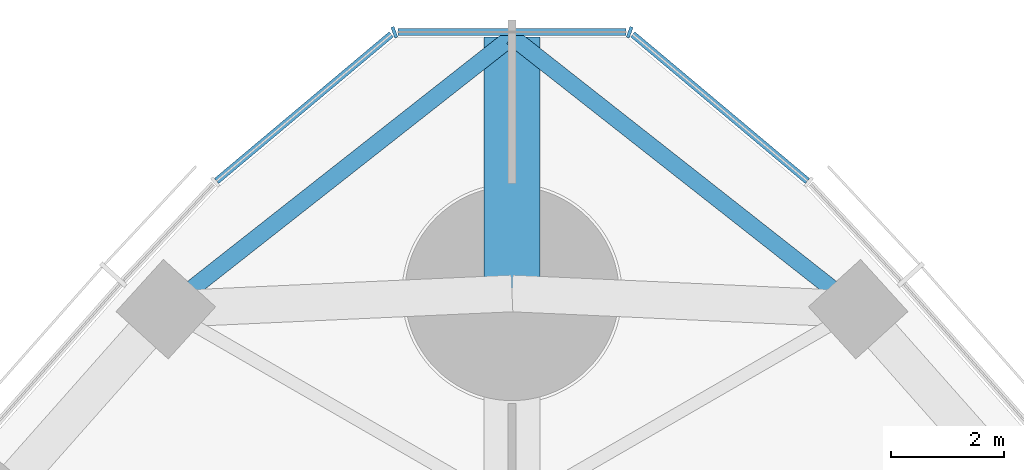
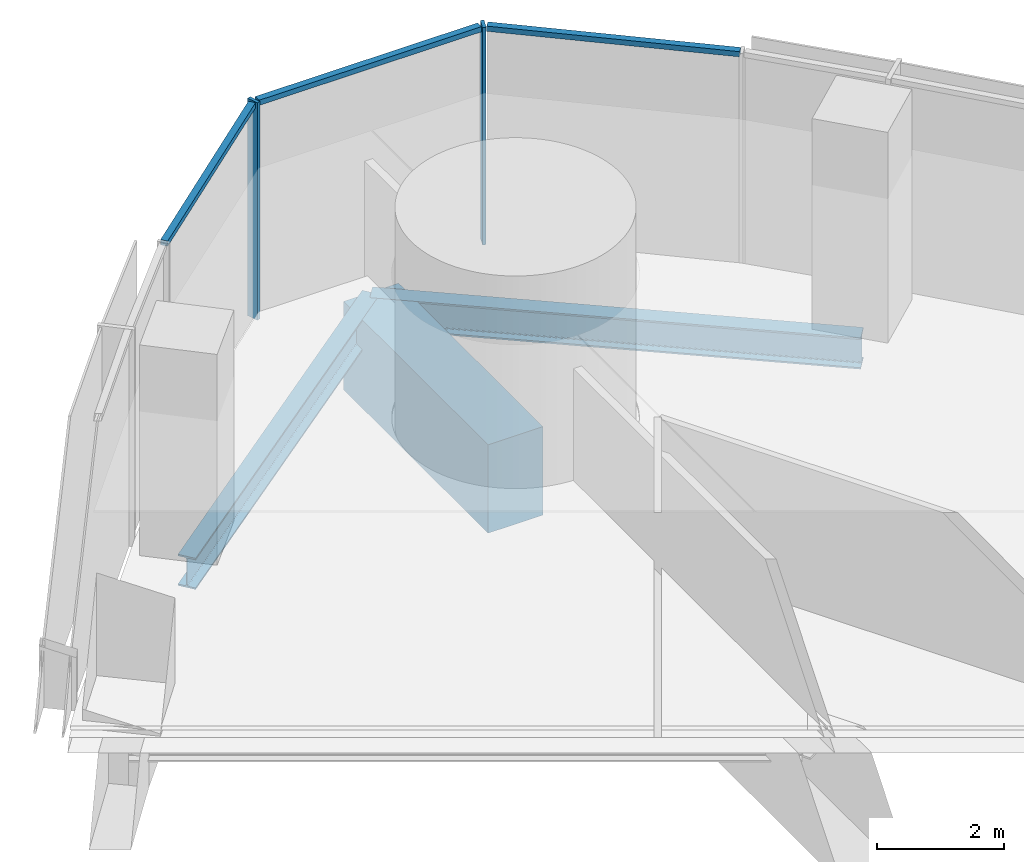
# One storey, part 9 of 21: 5 members, 3 beams, 1 element without a shape of its own.
"""IFC4 building model written with IfcOpenShell, lengths in metres."""

from ifc_helpers import new_model, si_unit, direction, frame, origin, origin_2d, place, context, subcontext, project, spatial, rectangle, i_section, extrude, material, material_profile, profile_set, type_object, element, aggregate, save


model = new_model("IFC4")

# Units and contexts
model_context = context("Model", 3, precision=1e-05, world=origin(), true_north=direction((0.0, 1.0)))
body_context = subcontext(model_context, "Body", "Model", "MODEL_VIEW")
ifc_project = project(units=[si_unit("LENGTHUNIT", "METRE"), si_unit("AREAUNIT", "SQUARE_METRE"), si_unit("VOLUMEUNIT", "CUBIC_METRE"), si_unit("PLANEANGLEUNIT", "RADIAN"), si_unit("MASSUNIT", "GRAM", prefix="KILO")], contexts=[model_context])

# Site, building, storey
site_placement = place(None, origin())
site = spatial("IfcSite", under=ifc_project, at=site_placement, CompositionType="ELEMENT")
building_placement = place(site_placement, origin())
building = spatial("IfcBuilding", under=site, at=building_placement, Name="Trefoil Bronze Tower", CompositionType="ELEMENT")
storey_placement = place(building_placement, frame((0.0, 0.0, 149.300048828125)))
storey = spatial("IfcBuildingStorey", under=building, at=storey_placement, Name="L34", CompositionType="ELEMENT", Elevation=149.300048828125)

# Curtain wall, members
ifc_material_1 = material(Name="Tinted solar-control glass", Category="glass")
curtain_wall_type = type_object("IfcCurtainWallType", Name="Bronze rounded corner curtain wall", PredefinedType="USERDEFINED", material=ifc_material_1)
curtain_wall_placement = place(storey_placement, origin())
curtain_wall = element("IfcCurtainWall", 1, at=curtain_wall_placement, inside=storey, type_object=curtain_wall_type, Name="CW-B L34 K2", ObjectType="CURTAIN WALL", PredefinedType="USERDEFINED")
ifc_material_2 = material(Name="Bronze-finish aluminium", Category="aluminium")
ifc_material_profile_1 = material_profile(ifc_material_2, rectangle(XDim=0.199951171875, YDim=0.06005859375, at=origin_2d()), Name="CW-B mullion")
ifc_profile_set_1 = profile_set([ifc_material_profile_1], Name="Bronze-finish aluminium")
member_type_1 = type_object("IfcMemberType", Name="Bronze rounded corner curtain wall mullion", PredefinedType="MULLION", material=ifc_profile_set_1)
member_1_placement = place(storey_placement, frame((2.08642578125, 39.631591796875, 0.0), z_axis=(0.0, 0.0, 1.0), x_axis=(-0.342020143326, -0.939692620786, 0.0)))
member_1 = element("IfcMember", 2, at=member_1_placement, type_object=member_type_1, Name="CW-B L34 K2 mullion 2", PredefinedType="MULLION", context=body_context, shape_type="SweptSolid", body=[
    extrude(rectangle(XDim=0.199951171875, YDim=0.06005859375, at=origin_2d()), origin(), (0.0, 0.0, 1.0), 4.179931640625),
])
member_2_placement = place(storey_placement, frame((-2.08642578125, 39.631591796875, 0.0), z_axis=(0.0, 0.0, 1.0), x_axis=(0.342020143326, -0.939692620786, 0.0)))
member_2 = element("IfcMember", 3, at=member_2_placement, type_object=member_type_1, Name="CW-B L34 K2 mullion 3", PredefinedType="MULLION", context=body_context, shape_type="SweptSolid", body=[
    extrude(rectangle(XDim=0.199951171875, YDim=0.06005859375, at=origin_2d()), origin(), (0.0, 0.0, 1.0), 4.179931640625),
])
ifc_material_3 = material(Name="Bronze-finish aluminium", Category="aluminium")
ifc_material_profile_2 = material_profile(ifc_material_3, rectangle(XDim=0.1201171875, YDim=0.10009765625, at=origin_2d()), Name="CW-B transom")
ifc_profile_set_2 = profile_set([ifc_material_profile_2], Name="Bronze-finish aluminium")
member_type_2 = type_object("IfcMemberType", Name="Bronze rounded corner curtain wall transom", PredefinedType="USERDEFINED", material=ifc_profile_set_2)
member_3_placement = place(storey_placement, frame((5.237548828125, 36.9951171875, 4.1298828125), z_axis=(-0.766049624684, 0.642781434487, 0.0), x_axis=(-0.642781434487, -0.766049624684, 0.0)))
member_3 = element("IfcMember", 4, at=member_3_placement, type_object=member_type_2, Name="CW-B L34 K2 transom 1", ObjectType="TRANSOM", PredefinedType="USERDEFINED", context=body_context, shape_type="SweptSolid", body=[
    extrude(rectangle(XDim=0.1201171875, YDim=0.10009765625, at=origin_2d()), origin(), (0.0, 0.0, 1.0), 4.04443359375),
])
member_4_placement = place(storey_placement, frame((2.022216796875, 39.637451171875, 4.1298828125), z_axis=(-1.0, 0.0, 0.0), x_axis=(0.0, -1.0, 0.0)))
member_4 = element("IfcMember", 5, at=member_4_placement, type_object=member_type_2, Name="CW-B L34 K2 transom 2", ObjectType="TRANSOM", PredefinedType="USERDEFINED", context=body_context, shape_type="SweptSolid", body=[
    extrude(rectangle(XDim=0.1201171875, YDim=0.10009765625, at=origin_2d()), origin(), (0.0, 0.0, 1.0), 4.04443359375),
])
member_5_placement = place(storey_placement, frame((-2.139404296875, 39.5947265625, 4.1298828125), z_axis=(-0.766049624684, -0.642781434487, 0.0), x_axis=(0.642781434487, -0.766049624684, 0.0)))
member_5 = element("IfcMember", 6, at=member_5_placement, type_object=member_type_2, Name="CW-B L34 K2 transom 3", ObjectType="TRANSOM", PredefinedType="USERDEFINED", context=body_context, shape_type="SweptSolid", body=[
    extrude(rectangle(XDim=0.1201171875, YDim=0.10009765625, at=origin_2d()), origin(), (0.0, 0.0, 1.0), 4.04443359375),
])
aggregate(curtain_wall, [member_1, member_2, member_3, member_4, member_5])

# Beams
ifc_material_4 = material(Name="Concrete B80", Category="concrete")
ifc_material_profile_3 = material_profile(ifc_material_4, rectangle(XDim=1.0, YDim=1.699951171875, at=origin_2d()), Name="RC 1000x1700")
ifc_profile_set_3 = profile_set([ifc_material_profile_3], Name="Concrete B80")
beam_type_1 = type_object("IfcBeamType", Name="Corner cantilever RC 1000x1700", PredefinedType="BEAM", material=ifc_profile_set_3)
beam_placement = place(storey_placement, frame((0.0, 35.0, -1.050048828125), z_axis=(0.0, 1.0, 0.0), x_axis=(-1.0, 0.0, 0.0)))
element("IfcBeam", 7, at=beam_placement, inside=storey, type_object=beam_type_1, Name="Corner cantilever K2 L34", PredefinedType="BEAM", context=body_context, shape_type="SweptSolid", body=[
    extrude(rectangle(XDim=1.0, YDim=1.699951171875, at=origin_2d()), origin(), (0.0, 0.0, 1.0), 4.54931640625),
])
ifc_material_5 = material(Name="Steel C355", Category="steel")
ifc_material_profile_4 = material_profile(ifc_material_5, i_section(OverallWidth=0.300048828125, OverallDepth=0.60009765625, WebThickness=0.015380859375, FlangeThickness=0.030029296875, FilletRadius=0.027099609375, at=origin_2d()), Name="HEB 600")
ifc_profile_set_4 = profile_set([ifc_material_profile_4], Name="Steel C355")
beam_type_2 = type_object("IfcBeamType", Name="Corner edge beam HEB 600", PredefinedType="BEAM", material=ifc_profile_set_4)
for number, where, z_axis, x_axis, name in (
    (8, (6.13916015625, 34.72119140625, -0.5), (-0.786038406433, 0.61817766347, 0.0), (-0.61817766347, -0.786038406433, 0.0), "Corner edge beam F2A L34"),
    (9, (-6.13916015625, 34.72119140625, -0.5), (0.786038406433, 0.61817766347, 0.0), (-0.61817766347, 0.786038406433, 0.0), "Corner edge beam F3B L34"),
):
    element("IfcBeam", number, at=place(storey_placement, frame(where, z_axis=z_axis, x_axis=x_axis)), inside=storey, type_object=beam_type_2, Name=name, PredefinedType="BEAM", context=body_context, shape_type="SweptSolid", body=[
        extrude(i_section(OverallWidth=0.300048828125, OverallDepth=0.60009765625, WebThickness=0.015380859375, FlangeThickness=0.030029296875, FilletRadius=0.027099609375, at=origin_2d()), origin(), (0.0, 0.0, 1.0), 7.810302734375),
    ])

save(model, "model.ifc")
